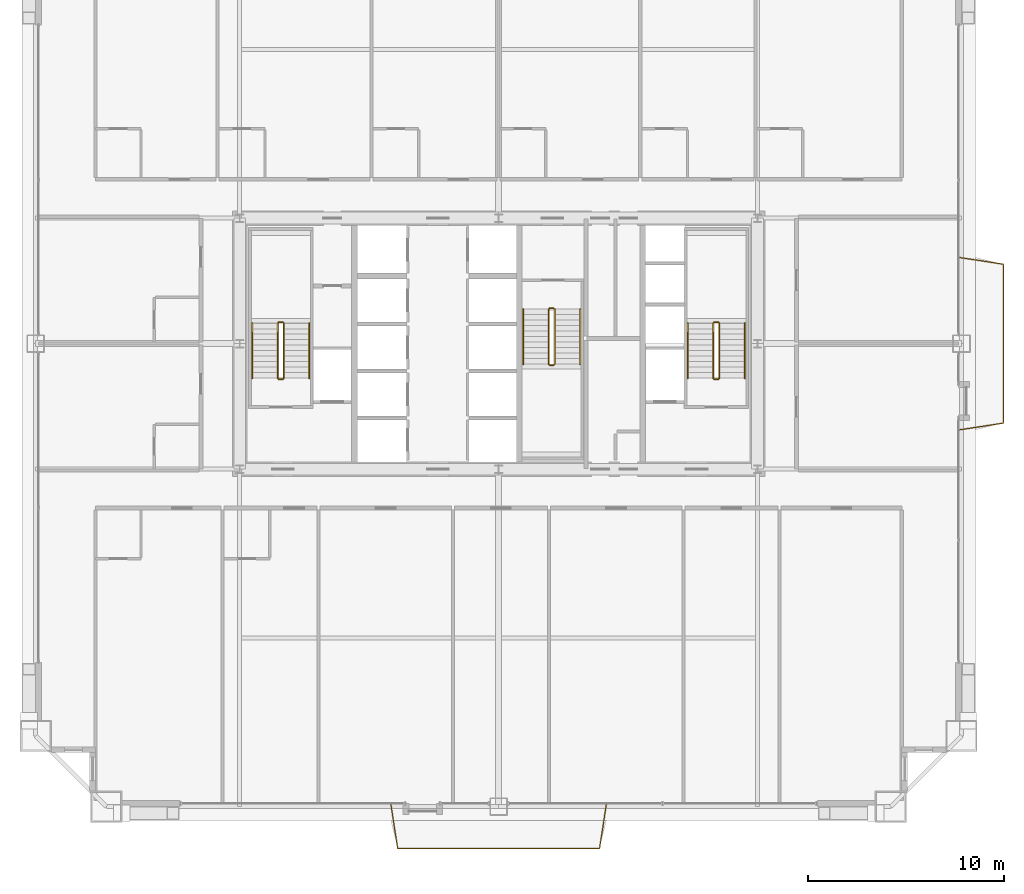
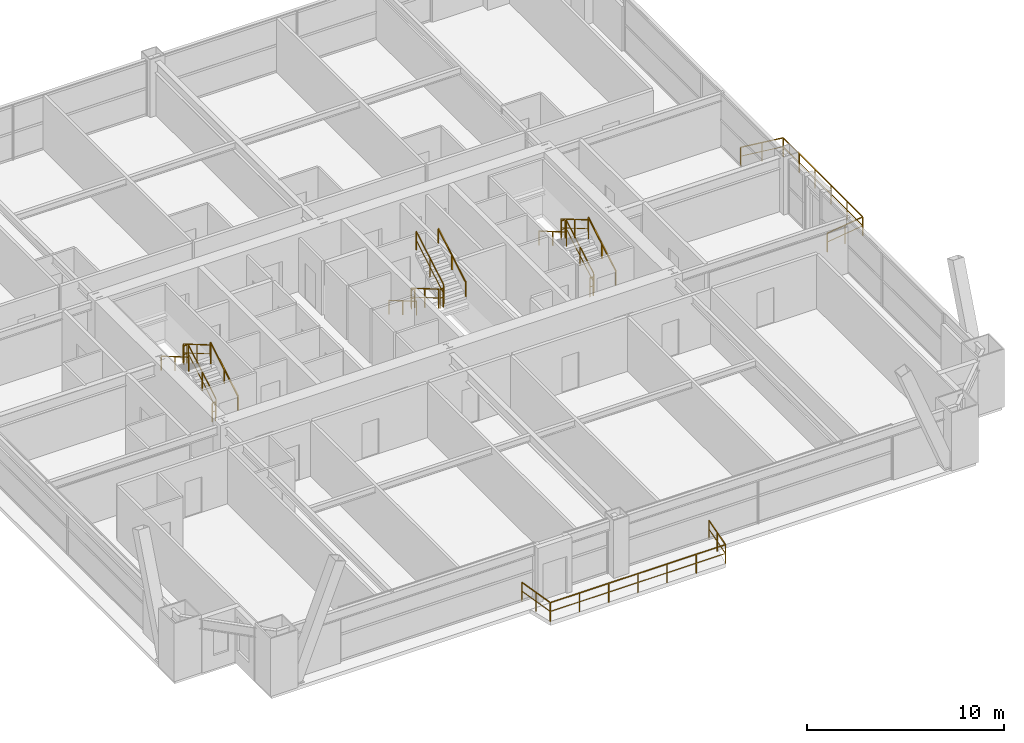
# One storey, part 43 of 43: 20 railings.
"""IFC4 building model written with IfcOpenShell, lengths in metres."""

from ifc_helpers import new_model, si_unit, direction, frame, origin, origin_2d, place, context, subcontext, project, spatial, rectangle, extrude, source, transform, mapped, material, layer, layer_set, type_object, element, save


model = new_model("IFC4")

# Units and contexts
model_context = context("Model", 3, precision=1e-05, world=origin(), true_north=direction((0.0, 1.0)))
body_context = subcontext(model_context, "Body", "Model", "MODEL_VIEW")
ifc_project = project(units=[si_unit("LENGTHUNIT", "METRE"), si_unit("AREAUNIT", "SQUARE_METRE"), si_unit("VOLUMEUNIT", "CUBIC_METRE"), si_unit("PLANEANGLEUNIT", "RADIAN"), si_unit("MASSUNIT", "GRAM", prefix="KILO"), si_unit("THERMODYNAMICTEMPERATUREUNIT", "KELVIN"), si_unit("POWERUNIT", "WATT")], contexts=[model_context])

# Site, building, storey
site_placement = place(None, origin())
site = spatial("IfcSite", under=ifc_project, at=site_placement, CompositionType="ELEMENT")
building_placement = place(site_placement, origin())
building = spatial("IfcBuilding", under=site, at=building_placement, Name="Yuzanri Waterfront Tower", CompositionType="ELEMENT")
storey_placement = place(building_placement, frame((0.0, 0.0, 159.60009765625)))
storey = spatial("IfcBuildingStorey", under=building, at=storey_placement, Name="L42", CompositionType="ELEMENT", Elevation=159.60009765625)

# Railings
ifc_material_1 = material(Name="Anodized Architectural Bronze", Category="metal")
ifc_layer_1 = layer(ifc_material_1, 0.080078125)
ifc_layer_set_1 = layer_set([ifc_layer_1], Name="Anodized Architectural Bronze")
railing_type_1 = type_object("IfcRailingType", Name="Laminated Glass and Bronze Balcony Guardrail 1200", PredefinedType="BALUSTRADE", material=ifc_layer_set_1)
shared_shape_1 = source(origin(), body_context, "Body", "SweptSolid", [
    extrude(rectangle(XDim=0.050048828125, YDim=0.050048828125, at=origin_2d()), frame((0.0, 0.0, 1.1748046875), z_axis=(0.151122658501, -0.988515018645, 0.0), x_axis=(0.988515018645, 0.151122658501, 0.0)), (0.0, 0.0, 1.0), 2.316650390625),
    extrude(rectangle(XDim=0.035888671875, YDim=0.030029296875, at=origin_2d()), frame((0.0, 0.0, 0.6240234375), z_axis=(0.151122658501, -0.988515018645, 0.0), x_axis=(0.988515018645, 0.151122658501, 0.0)), (0.0, 0.0, 1.0), 2.316650390625),
    extrude(rectangle(XDim=0.050048828125, YDim=0.050048828125, at=origin_2d()), frame((0.35009765625, -2.2900390625, 1.1748046875), z_axis=(1.0, 0.0, 0.0), x_axis=(0.0, 1.0, 0.0)), (0.0, 0.0, 1.0), 10.2939453125),
    extrude(rectangle(XDim=0.035888671875, YDim=0.030029296875, at=origin_2d()), frame((0.35009765625, -2.2900390625, 0.6240234375), z_axis=(1.0, 0.0, 0.0), x_axis=(0.0, 1.0, 0.0)), (0.0, 0.0, 1.0), 10.2939453125),
    extrude(rectangle(XDim=0.050048828125, YDim=0.050048828125, at=origin_2d()), frame((10.64404296875, -2.2900390625, 1.1748046875), z_axis=(0.151122658501, 0.988515018645, 0.0), x_axis=(-0.988515018645, 0.151122658501, 0.0)), (0.0, 0.0, 1.0), 2.316650390625),
    extrude(rectangle(XDim=0.035888671875, YDim=0.030029296875, at=origin_2d()), frame((10.64404296875, -2.2900390625, 0.6240234375), z_axis=(0.151122658501, 0.988515018645, 0.0), x_axis=(-0.988515018645, 0.151122658501, 0.0)), (0.0, 0.0, 1.0), 2.316650390625),
    extrude(rectangle(XDim=0.0458984375, YDim=0.0458984375, at=origin_2d()), origin(), (0.0, 0.0, 1.0), 1.14990234375),
    extrude(rectangle(XDim=0.0458984375, YDim=0.0458984375, at=origin_2d()), frame((0.175048828125, -1.14501953125, 0.0)), (0.0, 0.0, 1.0), 1.14990234375),
    extrude(rectangle(XDim=0.0458984375, YDim=0.0458984375, at=origin_2d()), frame((0.35009765625, -2.2900390625, 0.0)), (0.0, 0.0, 1.0), 1.14990234375),
    extrude(rectangle(XDim=0.0458984375, YDim=0.0458984375, at=origin_2d()), frame((2.065673828125, -2.2900390625, 0.0)), (0.0, 0.0, 1.0), 1.14990234375),
    extrude(rectangle(XDim=0.0458984375, YDim=0.0458984375, at=origin_2d()), frame((3.781494140625, -2.2900390625, 0.0)), (0.0, 0.0, 1.0), 1.14990234375),
    extrude(rectangle(XDim=0.0458984375, YDim=0.0458984375, at=origin_2d()), frame((5.4970703125, -2.2900390625, 0.0)), (0.0, 0.0, 1.0), 1.14990234375),
    extrude(rectangle(XDim=0.0458984375, YDim=0.0458984375, at=origin_2d()), frame((7.212646484375, -2.2900390625, 0.0)), (0.0, 0.0, 1.0), 1.14990234375),
    extrude(rectangle(XDim=0.0458984375, YDim=0.0458984375, at=origin_2d()), frame((8.928466796875, -2.2900390625, 0.0)), (0.0, 0.0, 1.0), 1.14990234375),
    extrude(rectangle(XDim=0.0458984375, YDim=0.0458984375, at=origin_2d()), frame((10.64404296875, -2.2900390625, 0.0)), (0.0, 0.0, 1.0), 1.14990234375),
    extrude(rectangle(XDim=0.0458984375, YDim=0.0458984375, at=origin_2d()), frame((10.819091796875, -1.14501953125, 0.0)), (0.0, 0.0, 1.0), 1.14990234375),
    extrude(rectangle(XDim=0.0458984375, YDim=0.0458984375, at=origin_2d()), frame((10.994140625, 0.0, 0.0)), (0.0, 0.0, 1.0), 1.14990234375),
])
railing_1_placement = place(storey_placement, frame((31.5029296875, 2.35009765625, 0.0)))
element("IfcRailing", 1, at=railing_1_placement, inside=storey, type_object=railing_type_1, Name="L42 S Engawa Terrace Guardrail", PredefinedType="BALUSTRADE", context=body_context, shape_type="MappedRepresentation", body=[
    mapped(shared_shape_1, transform((0.0, 0.0, 0.0), scale=1.0)),
])
shared_shape_2 = source(origin(), body_context, "Body", "SweptSolid", [
    extrude(rectangle(XDim=0.050048828125, YDim=0.050048828125, at=origin_2d()), frame((0.0, 0.0, 1.1748046875), z_axis=(0.988515018645, 0.151122658501, 0.0), x_axis=(-0.151122658501, 0.988515018645, 0.0)), (0.0, 0.0, 1.0), 2.316650390625),
    extrude(rectangle(XDim=0.035888671875, YDim=0.030029296875, at=origin_2d()), frame((0.0, 0.0, 0.6240234375), z_axis=(0.988515018645, 0.151122658501, 0.0), x_axis=(-0.151122658501, 0.988515018645, 0.0)), (0.0, 0.0, 1.0), 2.316650390625),
    extrude(rectangle(XDim=0.050048828125, YDim=0.050048828125, at=origin_2d()), frame((2.2900390625, 0.35009765625, 1.1748046875), z_axis=(0.0, 1.0, 0.0), x_axis=(-1.0, 0.0, 0.0)), (0.0, 0.0, 1.0), 8.10009765625),
    extrude(rectangle(XDim=0.035888671875, YDim=0.030029296875, at=origin_2d()), frame((2.2900390625, 0.35009765625, 0.6240234375), z_axis=(0.0, 1.0, 0.0), x_axis=(-1.0, 0.0, 0.0)), (0.0, 0.0, 1.0), 8.10009765625),
    extrude(rectangle(XDim=0.050048828125, YDim=0.050048828125, at=origin_2d()), frame((2.2900390625, 8.4501953125, 1.1748046875), z_axis=(-0.988530756742, 0.151019677443, 0.0), x_axis=(-0.151019677443, -0.988530756742, 0.0)), (0.0, 0.0, 1.0), 2.316650390625),
    extrude(rectangle(XDim=0.035888671875, YDim=0.030029296875, at=origin_2d()), frame((2.2900390625, 8.4501953125, 0.6240234375), z_axis=(-0.988530756742, 0.151019677443, 0.0), x_axis=(-0.151019677443, -0.988530756742, 0.0)), (0.0, 0.0, 1.0), 2.316650390625),
    extrude(rectangle(XDim=0.0458984375, YDim=0.0458984375, at=origin_2d()), origin(), (0.0, 0.0, 1.0), 1.14990234375),
    extrude(rectangle(XDim=0.0458984375, YDim=0.0458984375, at=origin_2d()), frame((1.14501953125, 0.175048828125, 0.0)), (0.0, 0.0, 1.0), 1.14990234375),
    extrude(rectangle(XDim=0.0458984375, YDim=0.0458984375, at=origin_2d()), frame((2.2900390625, 0.35009765625, 0.0)), (0.0, 0.0, 1.0), 1.14990234375),
    extrude(rectangle(XDim=0.0458984375, YDim=0.0458984375, at=origin_2d()), frame((2.2900390625, 1.97021484375, 0.0)), (0.0, 0.0, 1.0), 1.14990234375),
    extrude(rectangle(XDim=0.0458984375, YDim=0.0458984375, at=origin_2d()), frame((2.2900390625, 3.590087890625, 0.0)), (0.0, 0.0, 1.0), 1.14990234375),
    extrude(rectangle(XDim=0.0458984375, YDim=0.0458984375, at=origin_2d()), frame((2.2900390625, 5.210205078125, 0.0)), (0.0, 0.0, 1.0), 1.14990234375),
    extrude(rectangle(XDim=0.0458984375, YDim=0.0458984375, at=origin_2d()), frame((2.2900390625, 6.830078125, 0.0)), (0.0, 0.0, 1.0), 1.14990234375),
    extrude(rectangle(XDim=0.0458984375, YDim=0.0458984375, at=origin_2d()), frame((2.2900390625, 8.4501953125, 0.0)), (0.0, 0.0, 1.0), 1.14990234375),
    extrude(rectangle(XDim=0.0458984375, YDim=0.0458984375, at=origin_2d()), frame((1.14501953125, 8.625, 0.0)), (0.0, 0.0, 1.0), 1.14990234375),
    extrude(rectangle(XDim=0.0458984375, YDim=0.0458984375, at=origin_2d()), frame((0.0, 8.800048828125, 0.0)), (0.0, 0.0, 1.0), 1.14990234375),
])
railing_2_placement = place(storey_placement, frame((60.449951171875, 21.39990234375, 0.0)))
element("IfcRailing", 2, at=railing_2_placement, inside=storey, type_object=railing_type_1, Name="L42 E Engawa Terrace Guardrail", PredefinedType="BALUSTRADE", context=body_context, shape_type="MappedRepresentation", body=[
    mapped(shared_shape_2, transform((0.0, 0.0, 0.0), scale=1.0)),
])
ifc_material_2 = material(Name="Painted Galvanized Fire Steel", Category="steel")
ifc_layer_2 = layer(ifc_material_2, 0.06005859375)
ifc_layer_set_2 = layer_set([ifc_layer_2], Name="Painted Galvanized Fire Steel")
railing_type_2 = type_object("IfcRailingType", Name="Painted Steel Stairwell Guardrail 1120", PredefinedType="GUARDRAIL", material=ifc_layer_set_2)
shared_shape_3 = source(origin(), body_context, "Body", "SweptSolid", [
    extrude(rectangle(XDim=0.050048828125, YDim=0.050048828125, at=origin_2d()), frame((0.0, 0.0, 1.1748046875), z_axis=(-1.0, 0.0, 0.0), x_axis=(0.0, -1.0, 0.0)), (0.0, 0.0, 1.0), 0.199951171875),
    extrude(rectangle(XDim=0.035888671875, YDim=0.030029296875, at=origin_2d()), frame((0.0, 0.0, 0.6240234375), z_axis=(-1.0, 0.0, 0.0), x_axis=(0.0, -1.0, 0.0)), (0.0, 0.0, 1.0), 0.199951171875),
    extrude(rectangle(XDim=0.0458984375, YDim=0.0458984375, at=origin_2d()), origin(), (0.0, 0.0, 1.0), 1.14990234375),
    extrude(rectangle(XDim=0.0458984375, YDim=0.0458984375, at=origin_2d()), frame((-0.199951171875, 0.0, 0.0)), (0.0, 0.0, 1.0), 1.14990234375),
])
for number, where, name in (
    (3, (26.0, 26.889892578125, 1.7998046875), "L42 ST-01 stair guard 2"),
    (4, (26.0, 23.989990234375, 0.0), "L42 ST-01 stair guard 4"),
    (5, (48.199951171875, 26.889892578125, 1.7998046875), "L42 ST-02 stair guard 2"),
    (6, (48.199951171875, 23.989990234375, 0.0), "L42 ST-02 stair guard 4"),
):
    element("IfcRailing", number, at=place(storey_placement, frame(where)), inside=storey, type_object=railing_type_2, Name=name, PredefinedType="GUARDRAIL", context=body_context, shape_type="MappedRepresentation", body=[
        mapped(shared_shape_3, transform((0.0, 0.0, 0.0), scale=1.0)),
    ])
shared_shape_4 = source(origin(), body_context, "Body", "SweptSolid", [
    extrude(rectangle(XDim=0.050048828125, YDim=0.050048828125, at=origin_2d()), frame((0.0, 0.0, 1.1748046875), z_axis=(0.0, 0.863393664356, 0.504530851732), x_axis=(-1.0, 0.0, 0.0)), (0.0, 0.0, 1.0), 3.2431640625),
    extrude(rectangle(XDim=0.035888671875, YDim=0.030029296875, at=origin_2d()), frame((0.0, 0.0, 0.6240234375), z_axis=(0.0, 0.863393664356, 0.504530851732), x_axis=(-1.0, 0.0, 0.0)), (0.0, 0.0, 1.0), 3.2431640625),
    extrude(rectangle(XDim=0.0458984375, YDim=0.0458984375, at=origin_2d()), origin(), (0.0, 0.0, 1.0), 1.14990234375),
    extrude(rectangle(XDim=0.0458984375, YDim=0.0458984375, at=origin_2d()), frame((0.0, 1.39990234375, 0.818115234375)), (0.0, 0.0, 1.0), 1.14990234375),
    extrude(rectangle(XDim=0.0458984375, YDim=0.0458984375, at=origin_2d()), frame((0.0, 2.800048828125, 1.63623046875)), (0.0, 0.0, 1.0), 1.14990234375),
])
for number, where, name in (
    (7, (26.050048828125, 24.0400390625, 0.16357421875), "L42 ST-01 stair guard 1"),
    (8, (48.25, 24.0400390625, 0.16357421875), "L42 ST-02 stair guard 1"),
    (9, (39.85009765625, 24.760009765625, 1.963623046875), "L42 ST-03 stair guard 3"),
):
    element("IfcRailing", number, at=place(storey_placement, frame(where)), inside=storey, type_object=railing_type_2, Name=name, PredefinedType="GUARDRAIL", context=body_context, shape_type="MappedRepresentation", body=[
        mapped(shared_shape_4, transform((0.0, 0.0, 0.0), scale=1.0)),
    ])
shared_shape_5 = source(origin(), body_context, "Body", "SweptSolid", [
    extrude(rectangle(XDim=0.050048828125, YDim=0.050048828125, at=origin_2d()), frame((0.0, 0.0, 1.1748046875), z_axis=(0.0, -0.863393664356, 0.504530851732), x_axis=(1.0, 0.0, 0.0)), (0.0, 0.0, 1.0), 3.2431640625),
    extrude(rectangle(XDim=0.035888671875, YDim=0.030029296875, at=origin_2d()), frame((0.0, 0.0, 0.6240234375), z_axis=(0.0, -0.863393664356, 0.504530851732), x_axis=(1.0, 0.0, 0.0)), (0.0, 0.0, 1.0), 3.2431640625),
    extrude(rectangle(XDim=0.0458984375, YDim=0.0458984375, at=origin_2d()), origin(), (0.0, 0.0, 1.0), 1.14990234375),
    extrude(rectangle(XDim=0.0458984375, YDim=0.0458984375, at=origin_2d()), frame((0.0, -1.39990234375, 0.818115234375)), (0.0, 0.0, 1.0), 1.14990234375),
    extrude(rectangle(XDim=0.0458984375, YDim=0.0458984375, at=origin_2d()), frame((0.0, -2.800048828125, 1.63623046875)), (0.0, 0.0, 1.0), 1.14990234375),
])
for number, where, name in (
    (10, (25.75, 26.840087890625, 1.963623046875), "L42 ST-01 stair guard 3"),
    (11, (47.949951171875, 26.840087890625, 1.963623046875), "L42 ST-02 stair guard 3"),
    (12, (39.550048828125, 27.56005859375, 0.16357421875), "L42 ST-03 stair guard 1"),
):
    element("IfcRailing", number, at=place(storey_placement, frame(where)), inside=storey, type_object=railing_type_2, Name=name, PredefinedType="GUARDRAIL", context=body_context, shape_type="MappedRepresentation", body=[
        mapped(shared_shape_5, transform((0.0, 0.0, 0.0), scale=1.0)),
    ])
ifc_material_3 = material(Name="Anodized Architectural Bronze", Category="metal")
ifc_layer_3 = layer(ifc_material_3, 0.050048828125)
ifc_layer_set_3 = layer_set([ifc_layer_3], Name="Anodized Architectural Bronze")
railing_type_3 = type_object("IfcRailingType", Name="Brushed Bronze Stair Pitch Handrail 920", PredefinedType="HANDRAIL", material=ifc_layer_set_3)
shared_shape_6 = source(origin(), body_context, "Body", "SweptSolid", [
    extrude(rectangle(XDim=0.050048828125, YDim=0.050048828125, at=origin_2d()), frame((0.0, 0.0, 0.875), z_axis=(0.0, 0.863393664356, 0.504530851732), x_axis=(-1.0, 0.0, 0.0)), (0.0, 0.0, 1.0), 3.2431640625),
    extrude(rectangle(XDim=0.0458984375, YDim=0.0458984375, at=origin_2d()), origin(), (0.0, 0.0, 1.0), 0.849853515625),
    extrude(rectangle(XDim=0.0458984375, YDim=0.0458984375, at=origin_2d()), frame((0.0, 1.39990234375, 0.818115234375)), (0.0, 0.0, 1.0), 0.849853515625),
    extrude(rectangle(XDim=0.0458984375, YDim=0.0458984375, at=origin_2d()), frame((0.0, 2.800048828125, 1.63623046875)), (0.0, 0.0, 1.0), 0.849853515625),
])
for number, where, name in (
    (13, (27.35009765625, 24.0400390625, 0.16357421875), "L42 ST-01 stair handrail 1"),
    (14, (49.550048828125, 24.0400390625, 0.16357421875), "L42 ST-02 stair handrail 1"),
    (15, (41.14990234375, 24.760009765625, 1.963623046875), "L42 ST-03 stair handrail 2"),
):
    element("IfcRailing", number, at=place(storey_placement, frame(where)), inside=storey, type_object=railing_type_3, Name=name, PredefinedType="HANDRAIL", context=body_context, shape_type="MappedRepresentation", body=[
        mapped(shared_shape_6, transform((0.0, 0.0, 0.0), scale=1.0)),
    ])
shared_shape_7 = source(origin(), body_context, "Body", "SweptSolid", [
    extrude(rectangle(XDim=0.050048828125, YDim=0.050048828125, at=origin_2d()), frame((0.0, 0.0, 0.875), z_axis=(0.0, -0.863393664356, 0.504530851732), x_axis=(1.0, 0.0, 0.0)), (0.0, 0.0, 1.0), 3.2431640625),
    extrude(rectangle(XDim=0.0458984375, YDim=0.0458984375, at=origin_2d()), origin(), (0.0, 0.0, 1.0), 0.849853515625),
    extrude(rectangle(XDim=0.0458984375, YDim=0.0458984375, at=origin_2d()), frame((0.0, -1.39990234375, 0.818115234375)), (0.0, 0.0, 1.0), 0.849853515625),
    extrude(rectangle(XDim=0.0458984375, YDim=0.0458984375, at=origin_2d()), frame((0.0, -2.800048828125, 1.63623046875)), (0.0, 0.0, 1.0), 0.849853515625),
])
for number, where, name in (
    (16, (24.449951171875, 26.840087890625, 1.963623046875), "L42 ST-01 stair handrail 2"),
    (17, (46.64990234375, 26.840087890625, 1.963623046875), "L42 ST-02 stair handrail 2"),
    (18, (38.25, 27.56005859375, 0.16357421875), "L42 ST-03 stair handrail 1"),
):
    element("IfcRailing", number, at=place(storey_placement, frame(where)), inside=storey, type_object=railing_type_3, Name=name, PredefinedType="HANDRAIL", context=body_context, shape_type="MappedRepresentation", body=[
        mapped(shared_shape_7, transform((0.0, 0.0, 0.0), scale=1.0)),
    ])
shared_shape_8 = source(origin(), body_context, "Body", "SweptSolid", [
    extrude(rectangle(XDim=0.050048828125, YDim=0.050048828125, at=origin_2d()), frame((0.0, 0.0, 1.1748046875), z_axis=(1.0, 0.0, 0.0), x_axis=(0.0, 1.0, 0.0)), (0.0, 0.0, 1.0), 0.199951171875),
    extrude(rectangle(XDim=0.035888671875, YDim=0.030029296875, at=origin_2d()), frame((0.0, 0.0, 0.6240234375), z_axis=(1.0, 0.0, 0.0), x_axis=(0.0, 1.0, 0.0)), (0.0, 0.0, 1.0), 0.199951171875),
    extrude(rectangle(XDim=0.0458984375, YDim=0.0458984375, at=origin_2d()), origin(), (0.0, 0.0, 1.0), 1.14990234375),
    extrude(rectangle(XDim=0.0458984375, YDim=0.0458984375, at=origin_2d()), frame((0.199951171875, 0.0, 0.0)), (0.0, 0.0, 1.0), 1.14990234375),
])
for number, where, name in (
    (19, (39.60009765625, 24.7099609375, 1.7998046875), "L42 ST-03 stair guard 2"),
    (20, (39.60009765625, 27.610107421875, 0.0), "L42 ST-03 stair guard 4"),
):
    element("IfcRailing", number, at=place(storey_placement, frame(where)), inside=storey, type_object=railing_type_2, Name=name, PredefinedType="GUARDRAIL", context=body_context, shape_type="MappedRepresentation", body=[
        mapped(shared_shape_8, transform((0.0, 0.0, 0.0), scale=1.0)),
    ])

save(model, "model.ifc")
